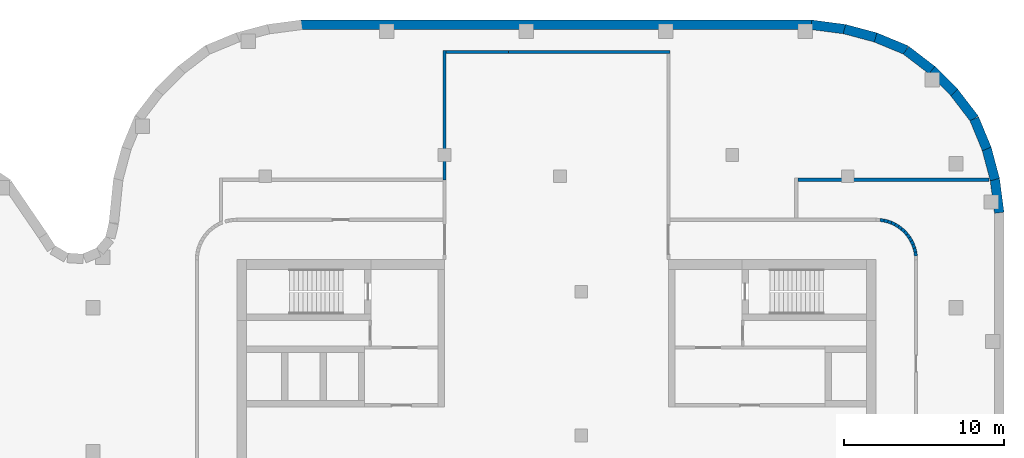
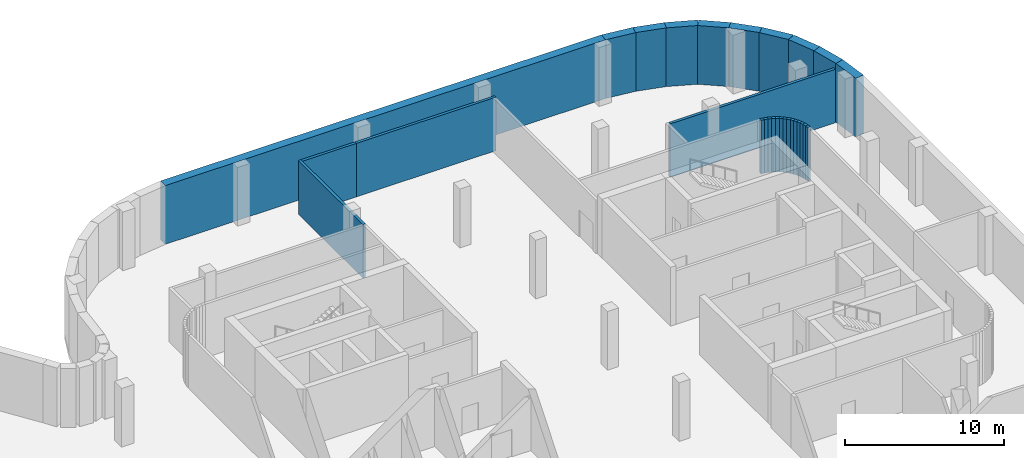
# One storey, part 13 of 16: 28 walls.
"""IFC4 building model written with IfcOpenShell, lengths in metres."""

from ifc_helpers import new_model, si_unit, direction, frame, frame_2d, origin, place, context, subcontext, project, spatial, rectangle, extrude, material, layer, layer_set, type_object, element, save


model = new_model("IFC4")

# Units and contexts
model_context = context("Model", 3, precision=1e-05, world=origin(), true_north=direction((0.0, 1.0)))
body_context = subcontext(model_context, "Body", "Model", "MODEL_VIEW")
ifc_project = project(units=[si_unit("LENGTHUNIT", "METRE"), si_unit("AREAUNIT", "SQUARE_METRE"), si_unit("VOLUMEUNIT", "CUBIC_METRE"), si_unit("PLANEANGLEUNIT", "RADIAN"), si_unit("MASSUNIT", "GRAM", prefix="KILO")], contexts=[model_context])

# Site, building, storey
site_placement = place(None, origin())
site = spatial("IfcSite", under=ifc_project, at=site_placement, CompositionType="ELEMENT")
building_placement = place(site_placement, origin())
building = spatial("IfcBuilding", under=site, at=building_placement, Name="Skarvind Civic Tower", CompositionType="ELEMENT")
storey_placement = place(building_placement, frame((0.0, 0.0, -4.5)))
storey = spatial("IfcBuildingStorey", under=building, at=storey_placement, Name="B1", CompositionType="ELEMENT", Elevation=-4.5)

# Walls
ifc_material_1 = material(Name="Concrete C40", Category="concrete")
ifc_layer_1 = layer(ifc_material_1, 0.60009765625)
ifc_layer_set_1 = layer_set([ifc_layer_1], Name="Basement retaining wall 600 C40")
wall_type_1 = type_object("IfcWallType", Name="Basement retaining wall 600 C40", PredefinedType="SHEAR", material=ifc_layer_set_1)
wall_1_placement = place(storey_placement, frame((131.021728515625, 153.699951171875, 0.0), z_axis=(0.0, 0.0, 1.0), x_axis=(1.0, 0.0, 0.0)))
element("IfcWall", 1, at=wall_1_placement, inside=storey, type_object=wall_type_1, Name="Basement retaining wall B1 43", PredefinedType="SHEAR", context=body_context, shape_type="SweptSolid", body=[
    extrude(rectangle(XDim=31.95654296875, YDim=0.60009765625, at=frame_2d((15.978271484375, 0.0))), origin(), (0.0, 0.0, 1.0), 4.5),
])
wall_2_placement = place(storey_placement, frame((162.93896484375, 153.70263671875, 0.0), z_axis=(0.0, 0.0, 1.0), x_axis=(0.991440646942, -0.130558200013, 0.0)))
element("IfcWall", 2, at=wall_2_placement, inside=storey, type_object=wall_type_1, Name="Basement retaining wall B1 44", PredefinedType="SHEAR", context=body_context, shape_type="SweptSolid", body=[
    extrude(rectangle(XDim=2.1318359375, YDim=0.60009765625, at=frame_2d((1.06591796875, 0.0))), origin(), (0.0, 0.0, 1.0), 4.5),
])
wall_3_placement = place(storey_placement, frame((165.013916015625, 153.431884765625, 0.0), z_axis=(0.0, 0.0, 1.0), x_axis=(0.965929732323, -0.258804467146, 0.0)))
element("IfcWall", 3, at=wall_3_placement, inside=storey, type_object=wall_type_1, Name="Basement retaining wall B1 45", PredefinedType="SHEAR", context=body_context, shape_type="SweptSolid", body=[
    extrude(rectangle(XDim=2.0224609375, YDim=0.60009765625, at=frame_2d((1.01123046875, 0.0))), origin(), (0.0, 0.0, 1.0), 4.5),
])
wall_4_placement = place(storey_placement, frame((166.9306640625, 152.921142578125, 0.0), z_axis=(0.0, 0.0, 1.0), x_axis=(0.924006983526, -0.382375593358, 0.0)))
element("IfcWall", 4, at=wall_4_placement, inside=storey, type_object=wall_type_1, Name="Basement retaining wall B1 46", PredefinedType="SHEAR", context=body_context, shape_type="SweptSolid", body=[
    extrude(rectangle(XDim=2.114013671875, YDim=0.60009765625, at=frame_2d((1.05712890625, 0.0))), origin(), (0.0, 0.0, 1.0), 4.5),
])
wall_5_placement = place(storey_placement, frame((168.87158203125, 152.109375, 0.0), z_axis=(0.0, 0.0, 1.0), x_axis=(0.793125485267, -0.609058260448, 0.0)))
element("IfcWall", 5, at=wall_5_placement, inside=storey, type_object=wall_type_1, Name="Basement retaining wall B1 47", PredefinedType="SHEAR", context=body_context, shape_type="SweptSolid", body=[
    extrude(rectangle(XDim=2.0439453125, YDim=0.60009765625, at=frame_2d((1.02197265625, 0.0))), origin(), (0.0, 0.0, 1.0), 4.5),
])
wall_6_placement = place(storey_placement, frame((170.463134765625, 150.890380859375, 0.0), z_axis=(0.0, 0.0, 1.0), x_axis=(0.707106781187, -0.707106781187, 0.0)))
element("IfcWall", 6, at=wall_6_placement, inside=storey, type_object=wall_type_1, Name="Basement retaining wall B1 48", PredefinedType="SHEAR", context=body_context, shape_type="SweptSolid", body=[
    extrude(rectangle(XDim=2.018310546875, YDim=0.60009765625, at=frame_2d((1.00927734375, 0.0))), origin(), (0.0, 0.0, 1.0), 4.5),
])
wall_7_placement = place(storey_placement, frame((171.864501953125, 149.49267578125, 0.0), z_axis=(0.0, 0.0, 1.0), x_axis=(0.609052002567, -0.79313029079, 0.0)))
element("IfcWall", 7, at=wall_7_placement, inside=storey, type_object=wall_type_1, Name="Basement retaining wall B1 49", PredefinedType="SHEAR", context=body_context, shape_type="SweptSolid", body=[
    extrude(rectangle(XDim=2.114013671875, YDim=0.60009765625, at=frame_2d((1.05712890625, 0.0))), origin(), (0.0, 0.0, 1.0), 4.5),
])
wall_8_placement = place(storey_placement, frame((173.1396484375, 147.8193359375, 0.0), z_axis=(0.0, 0.0, 1.0), x_axis=(0.382341242798, -0.924021197839, 0.0)))
element("IfcWall", 8, at=wall_8_placement, inside=storey, type_object=wall_type_1, Name="Basement retaining wall B1 50", PredefinedType="SHEAR", context=body_context, shape_type="SweptSolid", body=[
    extrude(rectangle(XDim=2.0439453125, YDim=0.60009765625, at=frame_2d((1.02197265625, 0.0))), origin(), (0.0, 0.0, 1.0), 4.5),
])
wall_9_placement = place(storey_placement, frame((173.908447265625, 145.967529296875, 0.0), z_axis=(0.0, 0.0, 1.0), x_axis=(0.258804467146, -0.965929732323, 0.0)))
element("IfcWall", 9, at=wall_9_placement, inside=storey, type_object=wall_type_1, Name="Basement retaining wall B1 51", PredefinedType="SHEAR", context=body_context, shape_type="SweptSolid", body=[
    extrude(rectangle(XDim=2.0224609375, YDim=0.60009765625, at=frame_2d((1.01123046875, 0.0))), origin(), (0.0, 0.0, 1.0), 4.5),
])
wall_10_placement = place(storey_placement, frame((174.42431640625, 144.052490234375, 0.0), z_axis=(0.0, 0.0, 1.0), x_axis=(0.130558200013, -0.991440646942, 0.0)))
element("IfcWall", 10, at=wall_10_placement, inside=storey, type_object=wall_type_1, Name="Basement retaining wall B1 52", PredefinedType="SHEAR", context=body_context, shape_type="SweptSolid", body=[
    extrude(rectangle(XDim=2.1318359375, YDim=0.60009765625, at=frame_2d((1.06591796875, 0.0))), origin(), (0.0, 0.0, 1.0), 4.5),
])
ifc_material_2 = material(Name="Fire-rated blockwork wall, plastered", Category="masonry")
ifc_layer_2 = layer(ifc_material_2, 0.199951171875)
ifc_layer_set_2 = layer_set([ifc_layer_2], Name="FIRE WALL 200 EI 120")
wall_type_2 = type_object("IfcWallType", Name="FIRE WALL 200 EI 120", PredefinedType="PARTITIONING", material=ifc_layer_set_2)
wall_11_placement = place(storey_placement, frame((140.0, 144.0, 0.0), z_axis=(0.0, 0.0, 1.0), x_axis=(0.0, 1.0, 0.0)))
element("IfcWall", 11, at=wall_11_placement, inside=storey, type_object=wall_type_2, Name="Basement partition B1 076", PredefinedType="PARTITIONING", context=body_context, shape_type="SweptSolid", body=[
    extrude(rectangle(XDim=8.10009765625, YDim=0.199951171875, at=frame_2d((4.050048828125, 0.0))), origin(), (0.0, 0.0, 1.0), 4.10009765625),
])
wall_12_placement = place(storey_placement, frame((140.10009765625, 152.0, 0.0), z_axis=(0.0, 0.0, 1.0), x_axis=(1.0, 0.0, 0.0)))
element("IfcWall", 12, at=wall_12_placement, inside=storey, type_object=wall_type_2, Name="Basement partition B1 077", PredefinedType="PARTITIONING", context=body_context, shape_type="SweptSolid", body=[
    extrude(rectangle(XDim=3.89990234375, YDim=0.199951171875, at=frame_2d((1.949951171875, 0.0))), origin(), (0.0, 0.0, 1.0), 4.10009765625),
])
ifc_layer_3 = layer(ifc_material_2, 0.199951171875)
ifc_layer_set_3 = layer_set([ifc_layer_3], Name="FIRE WALL 200 EI 60")
wall_type_3 = type_object("IfcWallType", Name="FIRE WALL 200 EI 60", PredefinedType="PARTITIONING", material=ifc_layer_set_3)
wall_13_placement = place(storey_placement, frame((144.0, 152.0, 0.0), z_axis=(0.0, 0.0, 1.0), x_axis=(1.0, 0.0, 0.0)))
element("IfcWall", 13, at=wall_13_placement, inside=storey, type_object=wall_type_3, Name="Basement partition B1 078", PredefinedType="PARTITIONING", context=body_context, shape_type="SweptSolid", body=[
    extrude(rectangle(XDim=10.10009765625, YDim=0.199951171875, at=frame_2d((5.050048828125, 0.0))), origin(), (0.0, 0.0, 1.0), 4.10009765625),
])
wall_14_placement = place(storey_placement, frame((162.10009765625, 144.0, 0.0), z_axis=(0.0, 0.0, 1.0), x_axis=(1.0, 0.0, 0.0)))
element("IfcWall", 14, at=wall_14_placement, inside=storey, type_object=wall_type_3, Name="Basement partition B1 088", PredefinedType="PARTITIONING", context=body_context, shape_type="SweptSolid", body=[
    extrude(rectangle(XDim=11.973876953125, YDim=0.199951171875, at=frame_2d((5.98681640625, 0.0))), origin(), (0.0, 0.0, 1.0), 4.10009765625),
])
wall_15_placement = place(storey_placement, frame((167.239990234375, 141.489013671875, 0.0), z_axis=(0.0, 0.0, 1.0), x_axis=(0.988852180426, -0.148900521377, 0.0)))
element("IfcWall", 15, at=wall_15_placement, inside=storey, type_object=wall_type_3, Name="Basement partition B1 092", PredefinedType="PARTITIONING", context=body_context, shape_type="SweptSolid", body=[
    extrude(rectangle(XDim=0.255859375, YDim=0.199951171875, at=frame_2d((0.1279296875, 0.0))), origin(), (0.0, 0.0, 1.0), 4.10009765625),
])
wall_16_placement = place(storey_placement, frame((167.48291015625, 141.452880859375, 0.0), z_axis=(0.0, 0.0, 1.0), x_axis=(0.970366809683, -0.241636616978, 0.0)))
element("IfcWall", 16, at=wall_16_placement, inside=storey, type_object=wall_type_3, Name="Basement partition B1 094", PredefinedType="PARTITIONING", context=body_context, shape_type="SweptSolid", body=[
    extrude(rectangle(XDim=0.255615234375, YDim=0.199951171875, at=frame_2d((0.1279296875, 0.0))), origin(), (0.0, 0.0, 1.0), 4.10009765625),
])
wall_17_placement = place(storey_placement, frame((167.721923828125, 141.39404296875, 0.0), z_axis=(0.0, 0.0, 1.0), x_axis=(0.941459892631, -0.337125007331, 0.0)))
element("IfcWall", 17, at=wall_17_placement, inside=storey, type_object=wall_type_3, Name="Basement partition B1 096", PredefinedType="PARTITIONING", context=body_context, shape_type="SweptSolid", body=[
    extrude(rectangle(XDim=0.2548828125, YDim=0.199951171875, at=frame_2d((0.12744140625, 0.0))), origin(), (0.0, 0.0, 1.0), 4.10009765625),
])
wall_18_placement = place(storey_placement, frame((167.951904296875, 141.31201171875, 0.0), z_axis=(0.0, 0.0, 1.0), x_axis=(0.903444698448, -0.4287046499, 0.0)))
element("IfcWall", 18, at=wall_18_placement, inside=storey, type_object=wall_type_3, Name="Basement partition B1 098", PredefinedType="PARTITIONING", context=body_context, shape_type="SweptSolid", body=[
    extrude(rectangle(XDim=0.254638671875, YDim=0.199951171875, at=frame_2d((0.12744140625, 0.0))), origin(), (0.0, 0.0, 1.0), 4.10009765625),
])
wall_19_placement = place(storey_placement, frame((168.174072265625, 141.20703125, 0.0), z_axis=(0.0, 0.0, 1.0), x_axis=(0.857998903579, -0.513651517527, 0.0)))
element("IfcWall", 19, at=wall_19_placement, inside=storey, type_object=wall_type_3, Name="Basement partition B1 100", PredefinedType="PARTITIONING", context=body_context, shape_type="SweptSolid", body=[
    extrude(rectangle(XDim=0.255126953125, YDim=0.199951171875, at=frame_2d((0.12744140625, 0.0))), origin(), (0.0, 0.0, 1.0), 4.10009765625),
])
wall_20_placement = place(storey_placement, frame((168.385009765625, 141.08203125, 0.0), z_axis=(0.0, 0.0, 1.0), x_axis=(0.803201336243, -0.595707657713, 0.0)))
element("IfcWall", 20, at=wall_20_placement, inside=storey, type_object=wall_type_3, Name="Basement partition B1 102", PredefinedType="PARTITIONING", context=body_context, shape_type="SweptSolid", body=[
    extrude(rectangle(XDim=0.25537109375, YDim=0.199951171875, at=frame_2d((0.127685546875, 0.0))), origin(), (0.0, 0.0, 1.0), 4.10009765625),
])
for number, where, z_axis, x_axis, name in (
    (21, (168.58203125, 140.93603515625, 0.0), (0.0, 0.0, 1.0), (0.742914175687, -0.66938668015, 0.0), "Basement partition B1 104"),
    (22, (168.764892578125, 140.77197265625, 0.0), (0.0, 0.0, 1.0), (0.66938668015, -0.742914175687, 0.0), "Basement partition B1 106"),
):
    element("IfcWall", number, at=place(storey_placement, frame(where, z_axis=z_axis, x_axis=x_axis)), inside=storey, type_object=wall_type_3, Name=name, PredefinedType="PARTITIONING", context=body_context, shape_type="SweptSolid", body=[
        extrude(rectangle(XDim=0.255615234375, YDim=0.199951171875, at=frame_2d((0.1279296875, 0.0))), origin(), (0.0, 0.0, 1.0), 4.10009765625),
    ])
wall_21_placement = place(storey_placement, frame((168.929931640625, 140.590087890625, 0.0), z_axis=(0.0, 0.0, 1.0), x_axis=(0.595707657713, -0.803201336243, 0.0)))
element("IfcWall", 23, at=wall_21_placement, inside=storey, type_object=wall_type_3, Name="Basement partition B1 108", PredefinedType="PARTITIONING", context=body_context, shape_type="SweptSolid", body=[
    extrude(rectangle(XDim=0.25537109375, YDim=0.199951171875, at=frame_2d((0.127685546875, 0.0))), origin(), (0.0, 0.0, 1.0), 4.10009765625),
])
wall_22_placement = place(storey_placement, frame((169.075927734375, 140.39306640625, 0.0), z_axis=(0.0, 0.0, 1.0), x_axis=(0.513651517527, -0.857998903579, 0.0)))
element("IfcWall", 24, at=wall_22_placement, inside=storey, type_object=wall_type_3, Name="Basement partition B1 110", PredefinedType="PARTITIONING", context=body_context, shape_type="SweptSolid", body=[
    extrude(rectangle(XDim=0.255126953125, YDim=0.199951171875, at=frame_2d((0.12744140625, 0.0))), origin(), (0.0, 0.0, 1.0), 4.10009765625),
])
wall_23_placement = place(storey_placement, frame((169.202880859375, 140.181884765625, 0.0), z_axis=(0.0, 0.0, 1.0), x_axis=(0.4287046499, -0.903444698448, 0.0)))
element("IfcWall", 25, at=wall_23_placement, inside=storey, type_object=wall_type_3, Name="Basement partition B1 112", PredefinedType="PARTITIONING", context=body_context, shape_type="SweptSolid", body=[
    extrude(rectangle(XDim=0.254638671875, YDim=0.199951171875, at=frame_2d((0.12744140625, 0.0))), origin(), (0.0, 0.0, 1.0), 4.10009765625),
])
wall_24_placement = place(storey_placement, frame((169.30810546875, 139.9619140625, 0.0), z_axis=(0.0, 0.0, 1.0), x_axis=(0.337125007331, -0.941459892631, 0.0)))
element("IfcWall", 26, at=wall_24_placement, inside=storey, type_object=wall_type_3, Name="Basement partition B1 114", PredefinedType="PARTITIONING", context=body_context, shape_type="SweptSolid", body=[
    extrude(rectangle(XDim=0.2548828125, YDim=0.199951171875, at=frame_2d((0.12744140625, 0.0))), origin(), (0.0, 0.0, 1.0), 4.10009765625),
])
wall_25_placement = place(storey_placement, frame((169.39111328125, 139.73095703125, 0.0), z_axis=(0.0, 0.0, 1.0), x_axis=(0.241636616978, -0.970366809683, 0.0)))
element("IfcWall", 27, at=wall_25_placement, inside=storey, type_object=wall_type_3, Name="Basement partition B1 116", PredefinedType="PARTITIONING", context=body_context, shape_type="SweptSolid", body=[
    extrude(rectangle(XDim=0.255615234375, YDim=0.199951171875, at=frame_2d((0.1279296875, 0.0))), origin(), (0.0, 0.0, 1.0), 4.10009765625),
])
wall_26_placement = place(storey_placement, frame((169.450927734375, 139.492919921875, 0.0), z_axis=(0.0, 0.0, 1.0), x_axis=(0.148900521377, -0.988852180426, 0.0)))
element("IfcWall", 28, at=wall_26_placement, inside=storey, type_object=wall_type_3, Name="Basement partition B1 118", PredefinedType="PARTITIONING", context=body_context, shape_type="SweptSolid", body=[
    extrude(rectangle(XDim=0.255859375, YDim=0.199951171875, at=frame_2d((0.1279296875, 0.0))), origin(), (0.0, 0.0, 1.0), 4.10009765625),
])

save(model, "model.ifc")
